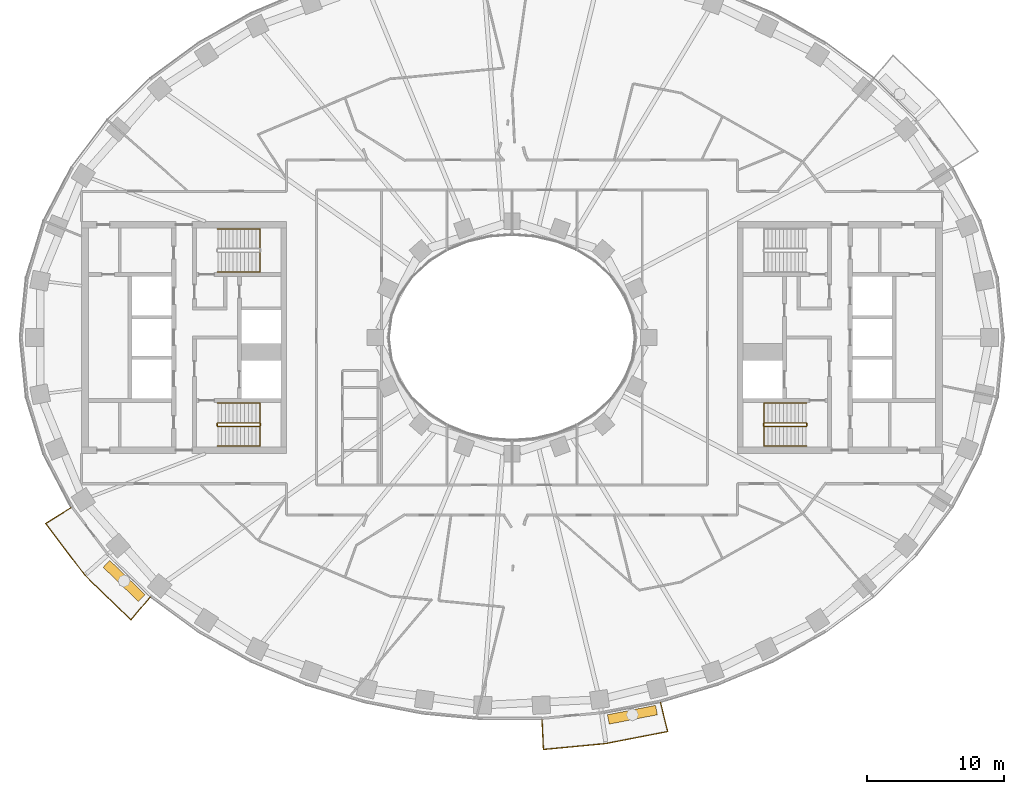
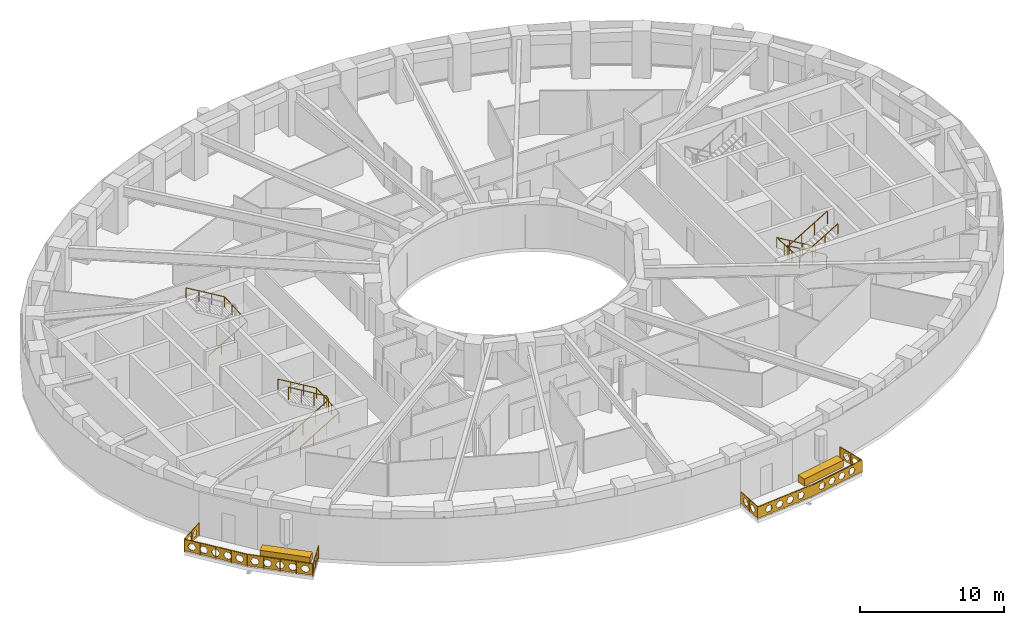
# One storey, part 14 of 16: 7 railings, 2 coverings.
"""IFC4 building model written with IfcOpenShell, lengths in metres."""

from ifc_helpers import new_model, si_unit, direction, frame, origin, origin_2d, place, context, subcontext, project, spatial, polyline, rectangle, outline, extrude, material, type_object, element, save


model = new_model("IFC4")

# Units and contexts
model_context = context("Model", 3, precision=1e-05, world=origin(), true_north=direction((0.0, 1.0)))
body_context = subcontext(model_context, "Body", "Model", "MODEL_VIEW")
ifc_project = project(units=[si_unit("LENGTHUNIT", "METRE"), si_unit("AREAUNIT", "SQUARE_METRE"), si_unit("VOLUMEUNIT", "CUBIC_METRE"), si_unit("PLANEANGLEUNIT", "RADIAN"), si_unit("MASSUNIT", "GRAM", prefix="KILO")], contexts=[model_context])

# Site, building, storey
site_placement = place(None, origin())
site = spatial("IfcSite", under=ifc_project, at=site_placement, CompositionType="ELEMENT")
building_placement = place(site_placement, origin())
building = spatial("IfcBuilding", under=site, at=building_placement, Name="Noorbagh Ring Tower", CompositionType="ELEMENT")
storey_placement = place(building_placement, frame((0.0, 0.0, 96.0)))
storey = spatial("IfcBuildingStorey", under=building, at=storey_placement, Name="L21", CompositionType="ELEMENT", Elevation=96.0)

# Railings
ifc_material_1 = material(Name="Stainless steel", Category="steel")
railing_type_1 = type_object("IfcRailingType", Name="CORE-STAIR-GUARD", PredefinedType="GUARDRAIL", material=ifc_material_1)
railing_1_placement = place(storey_placement, frame((-21.580078125, -6.449951171875, 0.0)))
element("IfcRailing", 1, at=railing_1_placement, inside=storey, type_object=railing_type_1, Name="L21 ST2 stair guard", PredefinedType="GUARDRAIL", context=body_context, shape_type="SweptSolid", body=[
    extrude(rectangle(XDim=0.048095703125, YDim=0.048095703125, at=origin_2d()), frame((0.0, 0.0, 1.076171875), z_axis=(0.0, 1.0, 0.0), x_axis=(-1.0, 0.0, 0.0)), (0.0, 0.0, 1.0), 0.14990234375),
    extrude(rectangle(XDim=0.048095703125, YDim=0.048095703125, at=origin_2d()), frame((0.0, 0.14990234375, 1.076171875), z_axis=(0.188775798145, -0.754182335027, 0.628945707965), x_axis=(0.970072785993, 0.242814311512, 0.0)), (0.0, 0.0, 1.0), 0.26513671875),
    extrude(rectangle(XDim=0.048095703125, YDim=0.048095703125, at=origin_2d()), frame((0.050048828125, -0.050048828125, 1.24267578125), z_axis=(0.859308565015, 0.0, 0.511457515432), x_axis=(0.0, 1.0, 0.0)), (0.0, 0.0, 1.0), 3.58447265625),
    extrude(rectangle(XDim=0.048095703125, YDim=0.048095703125, at=origin_2d()), frame((3.130126953125, -0.050048828125, 3.076171875), z_axis=(0.707106781187, 0.707106781187, 0.0), x_axis=(-0.707106781187, 0.707106781187, 0.0)), (0.0, 0.0, 1.0), 0.07080078125),
    extrude(rectangle(XDim=0.048095703125, YDim=0.048095703125, at=origin_2d()), frame((3.18017578125, 0.0, 3.076171875), z_axis=(0.0, 1.0, 0.0), x_axis=(-1.0, 0.0, 0.0)), (0.0, 0.0, 1.0), 0.14990234375),
    extrude(rectangle(XDim=0.048095703125, YDim=0.048095703125, at=origin_2d()), frame((3.18017578125, 0.14990234375, 3.076171875), z_axis=(-0.27628659633, 0.27628659633, 0.920506074601), x_axis=(-0.707106781187, -0.707106781187, 0.0)), (0.0, 0.0, 1.0), 0.18115234375),
    extrude(rectangle(XDim=0.048095703125, YDim=0.048095703125, at=origin_2d()), frame((3.130126953125, 0.199951171875, 3.24267578125), z_axis=(-0.859308565015, 0.0, 0.511457515432), x_axis=(0.0, -1.0, 0.0)), (0.0, 0.0, 1.0), 3.58447265625),
    extrude(rectangle(XDim=0.0419921875, YDim=0.0419921875, at=origin_2d()), origin(), (0.0, 0.0, 1.0), 1.052001953125),
    extrude(rectangle(XDim=0.0419921875, YDim=0.0419921875, at=origin_2d()), frame((1.07666015625, -0.050048828125, 0.77783203125)), (0.0, 0.0, 1.0), 1.052001953125),
    extrude(rectangle(XDim=0.0419921875, YDim=0.0419921875, at=origin_2d()), frame((2.103515625, -0.050048828125, 1.388916015625)), (0.0, 0.0, 1.0), 1.052001953125),
    extrude(rectangle(XDim=0.0419921875, YDim=0.0419921875, at=origin_2d()), frame((3.130126953125, -0.050048828125, 2.0)), (0.0, 0.0, 1.0), 1.052001953125),
    extrude(rectangle(XDim=0.0419921875, YDim=0.0419921875, at=origin_2d()), frame((3.130126953125, 0.199951171875, 2.166748046875)), (0.0, 0.0, 1.0), 1.052001953125),
    extrude(rectangle(XDim=0.0419921875, YDim=0.0419921875, at=origin_2d()), frame((2.103515625, 0.199951171875, 2.77783203125)), (0.0, 0.0, 1.0), 1.052001953125),
    extrude(rectangle(XDim=0.0419921875, YDim=0.0419921875, at=origin_2d()), frame((1.07666015625, 0.199951171875, 3.388916015625)), (0.0, 0.0, 1.0), 1.052001953125),
    extrude(rectangle(XDim=0.0419921875, YDim=0.0419921875, at=origin_2d()), frame((0.050048828125, 0.199951171875, 4.0)), (0.0, 0.0, 1.0), 1.052001953125),
])
railing_2_placement = place(storey_placement, frame((21.580078125, -6.300048828125, 0.0)))
element("IfcRailing", 2, at=railing_2_placement, inside=storey, type_object=railing_type_1, Name="L21 ST4 stair guard", PredefinedType="GUARDRAIL", context=body_context, shape_type="SweptSolid", body=[
    extrude(rectangle(XDim=0.048095703125, YDim=0.048095703125, at=origin_2d()), frame((0.0, 0.0, 1.076171875), z_axis=(0.0, -1.0, 0.0), x_axis=(1.0, 0.0, 0.0)), (0.0, 0.0, 1.0), 0.14990234375),
    extrude(rectangle(XDim=0.048095703125, YDim=0.048095703125, at=origin_2d()), frame((0.0, -0.14990234375, 1.076171875), z_axis=(-0.188775798145, 0.754182335027, 0.628945707965), x_axis=(-0.970072785993, -0.242814311512, 0.0)), (0.0, 0.0, 1.0), 0.26513671875),
    extrude(rectangle(XDim=0.048095703125, YDim=0.048095703125, at=origin_2d()), frame((-0.050048828125, 0.050048828125, 1.24267578125), z_axis=(-0.859308565015, 0.0, 0.511457515432), x_axis=(0.0, -1.0, 0.0)), (0.0, 0.0, 1.0), 3.58447265625),
    extrude(rectangle(XDim=0.048095703125, YDim=0.048095703125, at=origin_2d()), frame((-3.130126953125, 0.050048828125, 3.076171875), z_axis=(-0.707106781187, -0.707106781187, 0.0), x_axis=(0.707106781187, -0.707106781187, 0.0)), (0.0, 0.0, 1.0), 0.07080078125),
    extrude(rectangle(XDim=0.048095703125, YDim=0.048095703125, at=origin_2d()), frame((-3.18017578125, 0.0, 3.076171875), z_axis=(0.0, -1.0, 0.0), x_axis=(1.0, 0.0, 0.0)), (0.0, 0.0, 1.0), 0.14990234375),
    extrude(rectangle(XDim=0.048095703125, YDim=0.048095703125, at=origin_2d()), frame((-3.18017578125, -0.14990234375, 3.076171875), z_axis=(0.27628659633, -0.27628659633, 0.920506074601), x_axis=(0.707106781187, 0.707106781187, 0.0)), (0.0, 0.0, 1.0), 0.18115234375),
    extrude(rectangle(XDim=0.048095703125, YDim=0.048095703125, at=origin_2d()), frame((-3.130126953125, -0.199951171875, 3.24267578125), z_axis=(0.859308565015, 0.0, 0.511457515432), x_axis=(0.0, 1.0, 0.0)), (0.0, 0.0, 1.0), 3.58447265625),
    extrude(rectangle(XDim=0.0419921875, YDim=0.0419921875, at=origin_2d()), origin(), (0.0, 0.0, 1.0), 1.052001953125),
    extrude(rectangle(XDim=0.0419921875, YDim=0.0419921875, at=origin_2d()), frame((-1.07666015625, 0.050048828125, 0.77783203125)), (0.0, 0.0, 1.0), 1.052001953125),
    extrude(rectangle(XDim=0.0419921875, YDim=0.0419921875, at=origin_2d()), frame((-2.103515625, 0.050048828125, 1.388916015625)), (0.0, 0.0, 1.0), 1.052001953125),
    extrude(rectangle(XDim=0.0419921875, YDim=0.0419921875, at=origin_2d()), frame((-3.130126953125, 0.050048828125, 2.0)), (0.0, 0.0, 1.0), 1.052001953125),
    extrude(rectangle(XDim=0.0419921875, YDim=0.0419921875, at=origin_2d()), frame((-3.130126953125, -0.199951171875, 2.166748046875)), (0.0, 0.0, 1.0), 1.052001953125),
    extrude(rectangle(XDim=0.0419921875, YDim=0.0419921875, at=origin_2d()), frame((-2.103515625, -0.199951171875, 2.77783203125)), (0.0, 0.0, 1.0), 1.052001953125),
    extrude(rectangle(XDim=0.0419921875, YDim=0.0419921875, at=origin_2d()), frame((-1.07666015625, -0.199951171875, 3.388916015625)), (0.0, 0.0, 1.0), 1.052001953125),
    extrude(rectangle(XDim=0.0419921875, YDim=0.0419921875, at=origin_2d()), frame((-0.050048828125, -0.199951171875, 4.0)), (0.0, 0.0, 1.0), 1.052001953125),
])
ifc_material_2 = material(Name="Stainless steel", Category="steel")
railing_type_2 = type_object("IfcRailingType", Name="CORE-STAIR-HANDRAIL", PredefinedType="HANDRAIL", material=ifc_material_2)
railing_3_placement = place(storey_placement, frame((-21.530029296875, 4.800048828125, 0.166748046875)))
element("IfcRailing", 3, at=railing_3_placement, inside=storey, type_object=railing_type_2, Name="L21 ST1 stair handrail", PredefinedType="HANDRAIL", context=body_context, shape_type="SweptSolid", body=[
    extrude(rectangle(XDim=0.048095703125, YDim=0.048095703125, at=origin_2d()), frame((0.0, 0.0, 0.8759765625), z_axis=(0.859308565015, 0.0, 0.511457515432), x_axis=(0.0, 1.0, 0.0)), (0.0, 0.0, 1.0), 3.58447265625),
    extrude(rectangle(XDim=0.048095703125, YDim=0.048095703125, at=origin_2d()), frame((3.080078125, 0.0, 2.708984375), z_axis=(0.0, 0.998601747152, 0.052863509014), x_axis=(-1.0, 0.0, 0.0)), (0.0, 0.0, 1.0), 3.154296875),
    extrude(rectangle(XDim=0.048095703125, YDim=0.048095703125, at=origin_2d()), frame((3.080078125, 3.14990234375, 2.8759765625), z_axis=(-0.859308565015, 0.0, 0.511457515432), x_axis=(0.0, -1.0, 0.0)), (0.0, 0.0, 1.0), 3.58447265625),
    extrude(rectangle(XDim=0.0419921875, YDim=0.0419921875, at=origin_2d()), origin(), (0.0, 0.0, 1.0), 0.851806640625),
    extrude(rectangle(XDim=0.0419921875, YDim=0.0419921875, at=origin_2d()), frame((1.026611328125, 0.0, 0.611083984375)), (0.0, 0.0, 1.0), 0.851806640625),
    extrude(rectangle(XDim=0.0419921875, YDim=0.0419921875, at=origin_2d()), frame((2.053466796875, 0.0, 1.22216796875)), (0.0, 0.0, 1.0), 0.851806640625),
    extrude(rectangle(XDim=0.0419921875, YDim=0.0419921875, at=origin_2d()), frame((3.080078125, 0.0, 1.833251953125)), (0.0, 0.0, 1.0), 0.851806640625),
    extrude(rectangle(XDim=0.0419921875, YDim=0.0419921875, at=origin_2d()), frame((3.080078125, 1.050048828125, 1.888916015625)), (0.0, 0.0, 1.0), 0.851806640625),
    extrude(rectangle(XDim=0.0419921875, YDim=0.0419921875, at=origin_2d()), frame((3.080078125, 2.099853515625, 1.9443359375)), (0.0, 0.0, 1.0), 0.851806640625),
    extrude(rectangle(XDim=0.0419921875, YDim=0.0419921875, at=origin_2d()), frame((3.080078125, 3.14990234375, 2.0)), (0.0, 0.0, 1.0), 0.851806640625),
    extrude(rectangle(XDim=0.0419921875, YDim=0.0419921875, at=origin_2d()), frame((2.053466796875, 3.14990234375, 2.611083984375)), (0.0, 0.0, 1.0), 0.851806640625),
    extrude(rectangle(XDim=0.0419921875, YDim=0.0419921875, at=origin_2d()), frame((1.026611328125, 3.14990234375, 3.22216796875)), (0.0, 0.0, 1.0), 0.851806640625),
    extrude(rectangle(XDim=0.0419921875, YDim=0.0419921875, at=origin_2d()), frame((0.0, 3.14990234375, 3.833251953125)), (0.0, 0.0, 1.0), 0.851806640625),
])
railing_4_placement = place(storey_placement, frame((-21.530029296875, -7.949951171875, 0.166748046875)))
element("IfcRailing", 4, at=railing_4_placement, inside=storey, type_object=railing_type_2, Name="L21 ST2 stair handrail", PredefinedType="HANDRAIL", context=body_context, shape_type="SweptSolid", body=[
    extrude(rectangle(XDim=0.048095703125, YDim=0.048095703125, at=origin_2d()), frame((0.0, 0.0, 0.8759765625), z_axis=(0.859308565015, 0.0, 0.511457515432), x_axis=(0.0, 1.0, 0.0)), (0.0, 0.0, 1.0), 3.58447265625),
    extrude(rectangle(XDim=0.048095703125, YDim=0.048095703125, at=origin_2d()), frame((3.080078125, 0.0, 2.708984375), z_axis=(0.0, 0.998601747152, 0.052863509014), x_axis=(-1.0, 0.0, 0.0)), (0.0, 0.0, 1.0), 3.154296875),
    extrude(rectangle(XDim=0.048095703125, YDim=0.048095703125, at=origin_2d()), frame((3.080078125, 3.14990234375, 2.8759765625), z_axis=(-0.859308565015, 0.0, 0.511457515432), x_axis=(0.0, -1.0, 0.0)), (0.0, 0.0, 1.0), 3.58447265625),
    extrude(rectangle(XDim=0.0419921875, YDim=0.0419921875, at=origin_2d()), origin(), (0.0, 0.0, 1.0), 0.851806640625),
    extrude(rectangle(XDim=0.0419921875, YDim=0.0419921875, at=origin_2d()), frame((1.026611328125, 0.0, 0.611083984375)), (0.0, 0.0, 1.0), 0.851806640625),
    extrude(rectangle(XDim=0.0419921875, YDim=0.0419921875, at=origin_2d()), frame((2.053466796875, 0.0, 1.22216796875)), (0.0, 0.0, 1.0), 0.851806640625),
    extrude(rectangle(XDim=0.0419921875, YDim=0.0419921875, at=origin_2d()), frame((3.080078125, 0.0, 1.833251953125)), (0.0, 0.0, 1.0), 0.851806640625),
    extrude(rectangle(XDim=0.0419921875, YDim=0.0419921875, at=origin_2d()), frame((3.080078125, 1.050048828125, 1.888916015625)), (0.0, 0.0, 1.0), 0.851806640625),
    extrude(rectangle(XDim=0.0419921875, YDim=0.0419921875, at=origin_2d()), frame((3.080078125, 2.099853515625, 1.9443359375)), (0.0, 0.0, 1.0), 0.851806640625),
    extrude(rectangle(XDim=0.0419921875, YDim=0.0419921875, at=origin_2d()), frame((3.080078125, 3.14990234375, 2.0)), (0.0, 0.0, 1.0), 0.851806640625),
    extrude(rectangle(XDim=0.0419921875, YDim=0.0419921875, at=origin_2d()), frame((2.053466796875, 3.14990234375, 2.611083984375)), (0.0, 0.0, 1.0), 0.851806640625),
    extrude(rectangle(XDim=0.0419921875, YDim=0.0419921875, at=origin_2d()), frame((1.026611328125, 3.14990234375, 3.22216796875)), (0.0, 0.0, 1.0), 0.851806640625),
    extrude(rectangle(XDim=0.0419921875, YDim=0.0419921875, at=origin_2d()), frame((0.0, 3.14990234375, 3.833251953125)), (0.0, 0.0, 1.0), 0.851806640625),
])
railing_5_placement = place(storey_placement, frame((21.530029296875, -4.800048828125, 0.166748046875)))
element("IfcRailing", 5, at=railing_5_placement, inside=storey, type_object=railing_type_2, Name="L21 ST4 stair handrail", PredefinedType="HANDRAIL", context=body_context, shape_type="SweptSolid", body=[
    extrude(rectangle(XDim=0.048095703125, YDim=0.048095703125, at=origin_2d()), frame((0.0, 0.0, 0.8759765625), z_axis=(-0.859308565015, 0.0, 0.511457515432), x_axis=(0.0, -1.0, 0.0)), (0.0, 0.0, 1.0), 3.58447265625),
    extrude(rectangle(XDim=0.048095703125, YDim=0.048095703125, at=origin_2d()), frame((-3.080078125, 0.0, 2.708984375), z_axis=(0.0, -0.998601747152, 0.052863509014), x_axis=(1.0, 0.0, 0.0)), (0.0, 0.0, 1.0), 3.154296875),
    extrude(rectangle(XDim=0.048095703125, YDim=0.048095703125, at=origin_2d()), frame((-3.080078125, -3.14990234375, 2.8759765625), z_axis=(0.859308565015, 0.0, 0.511457515432), x_axis=(0.0, 1.0, 0.0)), (0.0, 0.0, 1.0), 3.58447265625),
    extrude(rectangle(XDim=0.0419921875, YDim=0.0419921875, at=origin_2d()), origin(), (0.0, 0.0, 1.0), 0.851806640625),
    extrude(rectangle(XDim=0.0419921875, YDim=0.0419921875, at=origin_2d()), frame((-1.026611328125, 0.0, 0.611083984375)), (0.0, 0.0, 1.0), 0.851806640625),
    extrude(rectangle(XDim=0.0419921875, YDim=0.0419921875, at=origin_2d()), frame((-2.053466796875, 0.0, 1.22216796875)), (0.0, 0.0, 1.0), 0.851806640625),
    extrude(rectangle(XDim=0.0419921875, YDim=0.0419921875, at=origin_2d()), frame((-3.080078125, 0.0, 1.833251953125)), (0.0, 0.0, 1.0), 0.851806640625),
    extrude(rectangle(XDim=0.0419921875, YDim=0.0419921875, at=origin_2d()), frame((-3.080078125, -1.050048828125, 1.888916015625)), (0.0, 0.0, 1.0), 0.851806640625),
    extrude(rectangle(XDim=0.0419921875, YDim=0.0419921875, at=origin_2d()), frame((-3.080078125, -2.099853515625, 1.9443359375)), (0.0, 0.0, 1.0), 0.851806640625),
    extrude(rectangle(XDim=0.0419921875, YDim=0.0419921875, at=origin_2d()), frame((-3.080078125, -3.14990234375, 2.0)), (0.0, 0.0, 1.0), 0.851806640625),
    extrude(rectangle(XDim=0.0419921875, YDim=0.0419921875, at=origin_2d()), frame((-2.053466796875, -3.14990234375, 2.611083984375)), (0.0, 0.0, 1.0), 0.851806640625),
    extrude(rectangle(XDim=0.0419921875, YDim=0.0419921875, at=origin_2d()), frame((-1.026611328125, -3.14990234375, 3.22216796875)), (0.0, 0.0, 1.0), 0.851806640625),
    extrude(rectangle(XDim=0.0419921875, YDim=0.0419921875, at=origin_2d()), frame((0.0, -3.14990234375, 3.833251953125)), (0.0, 0.0, 1.0), 0.851806640625),
])
ifc_material_3 = material(Name="Steel S275 black powder-coated", Category="steel")
railing_type_3 = type_object("IfcRailingType", Name="ENV-GUARD", PredefinedType="GUARDRAIL", material=ifc_material_3)
railing_6_placement = place(storey_placement, frame((-32.255126953125, -12.434814453125, 0.0)))
element("IfcRailing", 6, at=railing_6_placement, inside=storey, type_object=railing_type_3, Name="Balcony guard BS01", PredefinedType="GUARDRAIL", context=body_context, shape_type="SweptSolid", body=[
    extrude(rectangle(XDim=0.048095703125, YDim=0.048095703125, at=origin_2d()), frame((0.0, 0.0, 1.076171875), z_axis=(-0.844852397829, -0.534999463442, 0.0), x_axis=(0.534999463442, -0.844852397829, 0.0)), (0.0, 0.0, 1.0), 2.207763671875),
    extrude(rectangle(XDim=0.048095703125, YDim=0.048095703125, at=origin_2d()), frame((-1.865234375, -1.18115234375, 1.076171875), z_axis=(0.604001613322, -0.796983093362, 0.0), x_axis=(0.796983093362, 0.604001613322, 0.0)), (0.0, 0.0, 1.0), 4.7353515625),
    extrude(rectangle(XDim=0.048095703125, YDim=0.048095703125, at=origin_2d()), frame((0.994873046875, -4.955078125, 1.076171875), z_axis=(0.717212632946, -0.696854388766, 0.0), x_axis=(0.696854388766, 0.717212632946, 0.0)), (0.0, 0.0, 1.0), 4.700927734375),
    extrude(rectangle(XDim=0.048095703125, YDim=0.048095703125, at=origin_2d()), frame((4.366455078125, -8.23095703125, 1.076171875), z_axis=(0.646413574048, 0.762987215677, 0.0), x_axis=(-0.762987215677, 0.646413574048, 0.0)), (0.0, 0.0, 1.0), 2.205322265625),
    extrude(rectangle(XDim=0.0419921875, YDim=0.0419921875, at=origin_2d()), origin(), (0.0, 0.0, 1.0), 1.052001953125),
    extrude(rectangle(XDim=0.0419921875, YDim=0.0419921875, at=origin_2d()), frame((-0.9326171875, -0.590576171875, 0.0)), (0.0, 0.0, 1.0), 1.052001953125),
    extrude(rectangle(XDim=0.0419921875, YDim=0.0419921875, at=origin_2d()), frame((-1.865234375, -1.18115234375, 0.0)), (0.0, 0.0, 1.0), 1.052001953125),
    extrude(rectangle(XDim=0.0419921875, YDim=0.0419921875, at=origin_2d()), frame((-1.150146484375, -2.12451171875, 0.0)), (0.0, 0.0, 1.0), 1.052001953125),
    extrude(rectangle(XDim=0.0419921875, YDim=0.0419921875, at=origin_2d()), frame((-0.43505859375, -3.068115234375, 0.0)), (0.0, 0.0, 1.0), 1.052001953125),
    extrude(rectangle(XDim=0.0419921875, YDim=0.0419921875, at=origin_2d()), frame((0.27978515625, -4.01171875, 0.0)), (0.0, 0.0, 1.0), 1.052001953125),
    extrude(rectangle(XDim=0.0419921875, YDim=0.0419921875, at=origin_2d()), frame((0.994873046875, -4.955078125, 0.0)), (0.0, 0.0, 1.0), 1.052001953125),
    extrude(rectangle(XDim=0.0419921875, YDim=0.0419921875, at=origin_2d()), frame((1.837890625, -5.77392578125, 0.0)), (0.0, 0.0, 1.0), 1.052001953125),
    extrude(rectangle(XDim=0.0419921875, YDim=0.0419921875, at=origin_2d()), frame((2.6806640625, -6.593017578125, 0.0)), (0.0, 0.0, 1.0), 1.052001953125),
    extrude(rectangle(XDim=0.0419921875, YDim=0.0419921875, at=origin_2d()), frame((3.5234375, -7.412109375, 0.0)), (0.0, 0.0, 1.0), 1.052001953125),
    extrude(rectangle(XDim=0.0419921875, YDim=0.0419921875, at=origin_2d()), frame((4.366455078125, -8.23095703125, 0.0)), (0.0, 0.0, 1.0), 1.052001953125),
    extrude(rectangle(XDim=0.0419921875, YDim=0.0419921875, at=origin_2d()), frame((5.0791015625, -7.3896484375, 0.0)), (0.0, 0.0, 1.0), 1.052001953125),
    extrude(rectangle(XDim=0.0419921875, YDim=0.0419921875, at=origin_2d()), frame((5.7919921875, -6.54833984375, 0.0)), (0.0, 0.0, 1.0), 1.052001953125),
    extrude(outline(polyline([(0.0, 0.10009765625), (2.207763671875, 0.10009765625), (2.207763671875, 1.031982421875), (0.0, 1.031982421875), (0.0, 0.10009765625)]), holes=[polyline([(0.9638671875, 0.56591796875), (0.808837890625, 0.83447265625), (0.498779296875, 0.83447265625), (0.343994140625, 0.56591796875), (0.498779296875, 0.297607421875), (0.808837890625, 0.297607421875), (0.9638671875, 0.56591796875)]), polyline([(1.86376953125, 0.56591796875), (1.708984375, 0.83447265625), (1.39892578125, 0.83447265625), (1.243896484375, 0.56591796875), (1.39892578125, 0.297607421875), (1.708984375, 0.297607421875), (1.86376953125, 0.56591796875)])]), frame((0.00537109375, -0.008544921875, 0.0), z_axis=(-0.534999463442, 0.844852397829, 0.0), x_axis=(-0.844852397829, -0.534999463442, 0.0)), (0.0, 0.0, 1.0), 0.02001953125),
    extrude(outline(polyline([(0.0, 0.10009765625), (4.7353515625, 0.10009765625), (4.7353515625, 1.031982421875), (0.0, 1.031982421875), (0.0, 0.10009765625)]), holes=[polyline([(0.877685546875, 0.56591796875), (0.72265625, 0.83447265625), (0.41259765625, 0.83447265625), (0.257568359375, 0.56591796875), (0.41259765625, 0.297607421875), (0.72265625, 0.297607421875), (0.877685546875, 0.56591796875)]), polyline([(1.777587890625, 0.56591796875), (1.62255859375, 0.83447265625), (1.312744140625, 0.83447265625), (1.15771484375, 0.56591796875), (1.312744140625, 0.297607421875), (1.62255859375, 0.297607421875), (1.777587890625, 0.56591796875)]), polyline([(2.677734375, 0.56591796875), (2.522705078125, 0.83447265625), (2.212646484375, 0.83447265625), (2.0576171875, 0.56591796875), (2.212646484375, 0.297607421875), (2.522705078125, 0.297607421875), (2.677734375, 0.56591796875)]), polyline([(3.57763671875, 0.56591796875), (3.422607421875, 0.83447265625), (3.112548828125, 0.83447265625), (2.95751953125, 0.56591796875), (3.112548828125, 0.297607421875), (3.422607421875, 0.297607421875), (3.57763671875, 0.56591796875)]), polyline([(4.4775390625, 0.56591796875), (4.32275390625, 0.83447265625), (4.0126953125, 0.83447265625), (3.857666015625, 0.56591796875), (4.0126953125, 0.297607421875), (4.32275390625, 0.297607421875), (4.4775390625, 0.56591796875)])]), frame((-1.857177734375, -1.175048828125, 0.0), z_axis=(-0.796983093362, -0.604001613322, 0.0), x_axis=(0.604001613322, -0.796983093362, 0.0)), (0.0, 0.0, 1.0), 0.02001953125),
    extrude(outline(polyline([(0.0, 0.10009765625), (4.700927734375, 0.10009765625), (4.700927734375, 1.031982421875), (0.0, 1.031982421875), (0.0, 0.10009765625)]), holes=[polyline([(0.860595703125, 0.56591796875), (0.70556640625, 0.83447265625), (0.3955078125, 0.83447265625), (0.240478515625, 0.56591796875), (0.3955078125, 0.297607421875), (0.70556640625, 0.297607421875), (0.860595703125, 0.56591796875)]), polyline([(1.760498046875, 0.56591796875), (1.60546875, 0.83447265625), (1.29541015625, 0.83447265625), (1.140380859375, 0.56591796875), (1.29541015625, 0.297607421875), (1.60546875, 0.297607421875), (1.760498046875, 0.56591796875)]), polyline([(2.660400390625, 0.56591796875), (2.50537109375, 0.83447265625), (2.195556640625, 0.83447265625), (2.04052734375, 0.56591796875), (2.195556640625, 0.297607421875), (2.50537109375, 0.297607421875), (2.660400390625, 0.56591796875)]), polyline([(3.560546875, 0.56591796875), (3.405517578125, 0.83447265625), (3.095458984375, 0.83447265625), (2.9404296875, 0.56591796875), (3.095458984375, 0.297607421875), (3.405517578125, 0.297607421875), (3.560546875, 0.56591796875)]), polyline([(4.46044921875, 0.56591796875), (4.305419921875, 0.83447265625), (3.995361328125, 0.83447265625), (3.840576171875, 0.56591796875), (3.995361328125, 0.297607421875), (4.305419921875, 0.297607421875), (4.46044921875, 0.56591796875)])]), frame((1.001953125, -4.947998046875, 0.0), z_axis=(-0.696854388766, -0.717212632946, 0.0), x_axis=(0.717212632946, -0.696854388766, 0.0)), (0.0, 0.0, 1.0), 0.02001953125),
    extrude(outline(polyline([(0.0, 0.10009765625), (2.205322265625, 0.10009765625), (2.205322265625, 1.031982421875), (0.0, 1.031982421875), (0.0, 0.10009765625)]), holes=[polyline([(0.962646484375, 0.56591796875), (0.8076171875, 0.83447265625), (0.49755859375, 0.83447265625), (0.342529296875, 0.56591796875), (0.49755859375, 0.297607421875), (0.8076171875, 0.297607421875), (0.962646484375, 0.56591796875)]), polyline([(1.862548828125, 0.56591796875), (1.707763671875, 0.83447265625), (1.397705078125, 0.83447265625), (1.24267578125, 0.56591796875), (1.397705078125, 0.297607421875), (1.707763671875, 0.297607421875), (1.862548828125, 0.56591796875)])]), frame((4.35888671875, -8.224609375, 0.0), z_axis=(0.762987215677, -0.646413574048, 0.0), x_axis=(0.646413574048, 0.762987215677, 0.0)), (0.0, 0.0, 1.0), 0.02001953125),
])
railing_7_placement = place(storey_placement, frame((2.193115234375, -27.947998046875, 0.0)))
element("IfcRailing", 7, at=railing_7_placement, inside=storey, type_object=railing_type_3, Name="Balcony guard BS04", PredefinedType="GUARDRAIL", context=body_context, shape_type="SweptSolid", body=[
    extrude(rectangle(XDim=0.048095703125, YDim=0.048095703125, at=origin_2d()), frame((0.0, 0.0, 1.076171875), z_axis=(0.047554616162, -0.998868639252, 0.0), x_axis=(0.998868639252, 0.047554616162, 0.0)), (0.0, 0.0, 1.0), 2.202392578125),
    extrude(rectangle(XDim=0.048095703125, YDim=0.048095703125, at=origin_2d()), frame((0.104736328125, -2.199951171875, 1.076171875), z_axis=(0.995477555764, 0.094997031379, 0.0), x_axis=(-0.094997031379, 0.995477555764, 0.0)), (0.0, 0.0, 1.0), 4.59765625),
    extrude(rectangle(XDim=0.048095703125, YDim=0.048095703125, at=origin_2d()), frame((4.681640625, -1.76318359375, 1.076171875), z_axis=(0.981625049064, 0.1908199755, 0.0), x_axis=(-0.1908199755, 0.981625049064, 0.0)), (0.0, 0.0, 1.0), 4.603271484375),
    extrude(rectangle(XDim=0.048095703125, YDim=0.048095703125, at=origin_2d()), frame((9.200439453125, -0.884765625, 1.076171875), z_axis=(-0.239848558412, 0.970810315679, 0.0), x_axis=(-0.970810315679, -0.239848558412, 0.0)), (0.0, 0.0, 1.0), 2.20263671875),
    extrude(rectangle(XDim=0.0419921875, YDim=0.0419921875, at=origin_2d()), origin(), (0.0, 0.0, 1.0), 1.052001953125),
    extrude(rectangle(XDim=0.0419921875, YDim=0.0419921875, at=origin_2d()), frame((0.05224609375, -1.10009765625, 0.0)), (0.0, 0.0, 1.0), 1.052001953125),
    extrude(rectangle(XDim=0.0419921875, YDim=0.0419921875, at=origin_2d()), frame((0.104736328125, -2.199951171875, 0.0)), (0.0, 0.0, 1.0), 1.052001953125),
    extrude(rectangle(XDim=0.0419921875, YDim=0.0419921875, at=origin_2d()), frame((1.2490234375, -2.0908203125, 0.0)), (0.0, 0.0, 1.0), 1.052001953125),
    extrude(rectangle(XDim=0.0419921875, YDim=0.0419921875, at=origin_2d()), frame((2.39306640625, -1.9814453125, 0.0)), (0.0, 0.0, 1.0), 1.052001953125),
    extrude(rectangle(XDim=0.0419921875, YDim=0.0419921875, at=origin_2d()), frame((3.537353515625, -1.872314453125, 0.0)), (0.0, 0.0, 1.0), 1.052001953125),
    extrude(rectangle(XDim=0.0419921875, YDim=0.0419921875, at=origin_2d()), frame((4.681640625, -1.76318359375, 0.0)), (0.0, 0.0, 1.0), 1.052001953125),
    extrude(rectangle(XDim=0.0419921875, YDim=0.0419921875, at=origin_2d()), frame((5.811279296875, -1.54345703125, 0.0)), (0.0, 0.0, 1.0), 1.052001953125),
    extrude(rectangle(XDim=0.0419921875, YDim=0.0419921875, at=origin_2d()), frame((6.94091796875, -1.323974609375, 0.0)), (0.0, 0.0, 1.0), 1.052001953125),
    extrude(rectangle(XDim=0.0419921875, YDim=0.0419921875, at=origin_2d()), frame((8.07080078125, -1.1044921875, 0.0)), (0.0, 0.0, 1.0), 1.052001953125),
    extrude(rectangle(XDim=0.0419921875, YDim=0.0419921875, at=origin_2d()), frame((9.200439453125, -0.884765625, 0.0)), (0.0, 0.0, 1.0), 1.052001953125),
    extrude(rectangle(XDim=0.0419921875, YDim=0.0419921875, at=origin_2d()), frame((8.936279296875, 0.1845703125, 0.0)), (0.0, 0.0, 1.0), 1.052001953125),
    extrude(rectangle(XDim=0.0419921875, YDim=0.0419921875, at=origin_2d()), frame((8.672119140625, 1.253662109375, 0.0)), (0.0, 0.0, 1.0), 1.052001953125),
    extrude(outline(polyline([(0.0, 0.10009765625), (2.202392578125, 0.10009765625), (2.202392578125, 1.031982421875), (0.0, 1.031982421875), (0.0, 0.10009765625)]), holes=[polyline([(0.961181640625, 0.56591796875), (0.80615234375, 0.83447265625), (0.496337890625, 0.83447265625), (0.34130859375, 0.56591796875), (0.496337890625, 0.297607421875), (0.80615234375, 0.297607421875), (0.961181640625, 0.56591796875)]), polyline([(1.861328125, 0.56591796875), (1.706298828125, 0.83447265625), (1.396240234375, 0.83447265625), (1.2412109375, 0.56591796875), (1.396240234375, 0.297607421875), (1.706298828125, 0.297607421875), (1.861328125, 0.56591796875)])]), frame((0.010009765625, 0.00048828125, 0.0), z_axis=(-0.998868639252, -0.047554616162, 0.0), x_axis=(0.047554616162, -0.998868639252, 0.0)), (0.0, 0.0, 1.0), 0.02001953125),
    extrude(outline(polyline([(0.0, 0.10009765625), (4.59765625, 0.10009765625), (4.59765625, 1.031982421875), (0.0, 1.031982421875), (0.0, 0.10009765625)]), holes=[polyline([(1.2587890625, 0.56591796875), (1.103759765625, 0.83447265625), (0.7939453125, 0.83447265625), (0.638916015625, 0.56591796875), (0.7939453125, 0.297607421875), (1.103759765625, 0.297607421875), (1.2587890625, 0.56591796875)]), polyline([(2.158935546875, 0.56591796875), (2.00390625, 0.83447265625), (1.69384765625, 0.83447265625), (1.538818359375, 0.56591796875), (1.69384765625, 0.297607421875), (2.00390625, 0.297607421875), (2.158935546875, 0.56591796875)]), polyline([(3.058837890625, 0.56591796875), (2.90380859375, 0.83447265625), (2.59375, 0.83447265625), (2.43896484375, 0.56591796875), (2.59375, 0.297607421875), (2.90380859375, 0.297607421875), (3.058837890625, 0.56591796875)]), polyline([(3.958740234375, 0.56591796875), (3.803955078125, 0.83447265625), (3.493896484375, 0.83447265625), (3.3388671875, 0.56591796875), (3.493896484375, 0.297607421875), (3.803955078125, 0.297607421875), (3.958740234375, 0.56591796875)])]), frame((0.103759765625, -2.18994140625, 0.0), z_axis=(0.094997031379, -0.995477555764, 0.0), x_axis=(0.995477555764, 0.094997031379, 0.0)), (0.0, 0.0, 1.0), 0.02001953125),
    extrude(outline(polyline([(0.0, 0.10009765625), (4.603271484375, 0.10009765625), (4.603271484375, 1.031982421875), (0.0, 1.031982421875), (0.0, 0.10009765625)]), holes=[polyline([(1.26171875, 0.56591796875), (1.106689453125, 0.83447265625), (0.796630859375, 0.83447265625), (0.6416015625, 0.56591796875), (0.796630859375, 0.297607421875), (1.106689453125, 0.297607421875), (1.26171875, 0.56591796875)]), polyline([(2.16162109375, 0.56591796875), (2.006591796875, 0.83447265625), (1.69677734375, 0.83447265625), (1.541748046875, 0.56591796875), (1.69677734375, 0.297607421875), (2.006591796875, 0.297607421875), (2.16162109375, 0.56591796875)]), polyline([(3.061767578125, 0.56591796875), (2.90673828125, 0.83447265625), (2.5966796875, 0.83447265625), (2.441650390625, 0.56591796875), (2.5966796875, 0.297607421875), (2.90673828125, 0.297607421875), (3.061767578125, 0.56591796875)]), polyline([(3.961669921875, 0.56591796875), (3.806640625, 0.83447265625), (3.49658203125, 0.83447265625), (3.341796875, 0.56591796875), (3.49658203125, 0.297607421875), (3.806640625, 0.297607421875), (3.961669921875, 0.56591796875)])]), frame((4.6796875, -1.75341796875, 0.0), z_axis=(0.1908199755, -0.981625049064, 0.0), x_axis=(0.981625049064, 0.1908199755, 0.0)), (0.0, 0.0, 1.0), 0.02001953125),
    extrude(outline(polyline([(0.0, 0.10009765625), (2.20263671875, 0.10009765625), (2.20263671875, 1.031982421875), (0.0, 1.031982421875), (0.0, 0.10009765625)]), holes=[polyline([(0.96142578125, 0.56591796875), (0.806396484375, 0.83447265625), (0.496337890625, 0.83447265625), (0.34130859375, 0.56591796875), (0.496337890625, 0.297607421875), (0.806396484375, 0.297607421875), (0.96142578125, 0.56591796875)]), polyline([(1.861328125, 0.56591796875), (1.706298828125, 0.83447265625), (1.396240234375, 0.83447265625), (1.241455078125, 0.56591796875), (1.396240234375, 0.297607421875), (1.706298828125, 0.297607421875), (1.861328125, 0.56591796875)])]), frame((9.190673828125, -0.88720703125, 0.0), z_axis=(0.970810315679, 0.239848558412, 0.0), x_axis=(-0.239848558412, 0.970810315679, 0.0)), (0.0, 0.0, 1.0), 0.02001953125),
])

# Coverings
ifc_material_4 = material(Name="Concrete C30/37 planter with soil", Category="concrete")
covering_type = type_object("IfcCoveringType", Name="ENV-PLANTER", PredefinedType="CLADDING", material=ifc_material_4)
covering_1_placement = place(storey_placement, frame((-28.3837890625, -17.814208984375, 0.0), z_axis=(0.0, 0.0, 1.0), x_axis=(0.717224548362, -0.696842125038, 0.0)))
element("IfcCovering", 8, at=covering_1_placement, inside=storey, type_object=covering_type, Name="PLANTER BS01", ObjectType="PLANTER", PredefinedType="CLADDING", context=body_context, shape_type="SweptSolid", body=[
    extrude(rectangle(XDim=3.584228515625, YDim=0.699951171875, at=origin_2d()), origin(), (0.0, 0.0, 1.0), 0.60009765625),
])
covering_2_placement = place(storey_placement, frame((8.807861328125, -27.603515625, 0.0), z_axis=(0.0, 0.0, 1.0), x_axis=(0.981624952922, 0.190820470077, 0.0)))
element("IfcCovering", 9, at=covering_2_placement, inside=storey, type_object=covering_type, Name="PLANTER BS04", ObjectType="PLANTER", PredefinedType="CLADDING", context=body_context, shape_type="SweptSolid", body=[
    extrude(rectangle(XDim=3.586181640625, YDim=0.699951171875, at=origin_2d()), origin(), (0.0, 0.0, 1.0), 0.60009765625),
])

save(model, "model.ifc")
